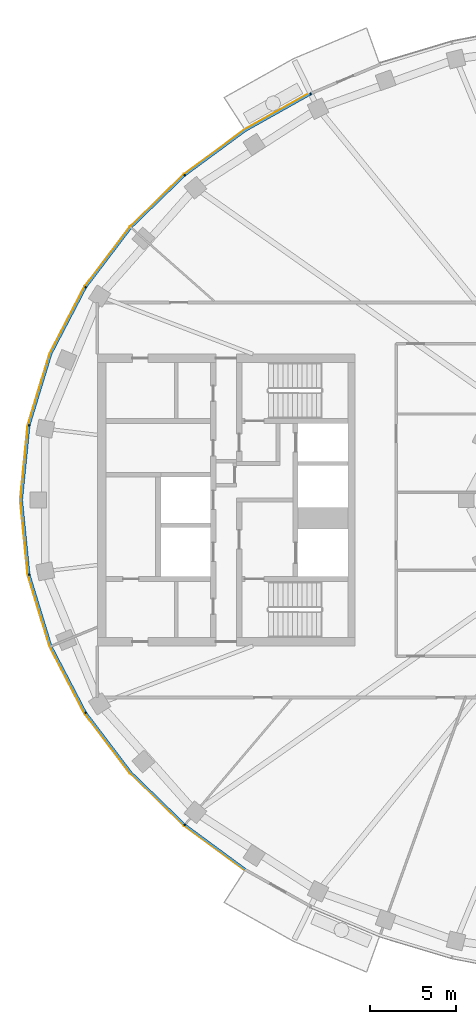
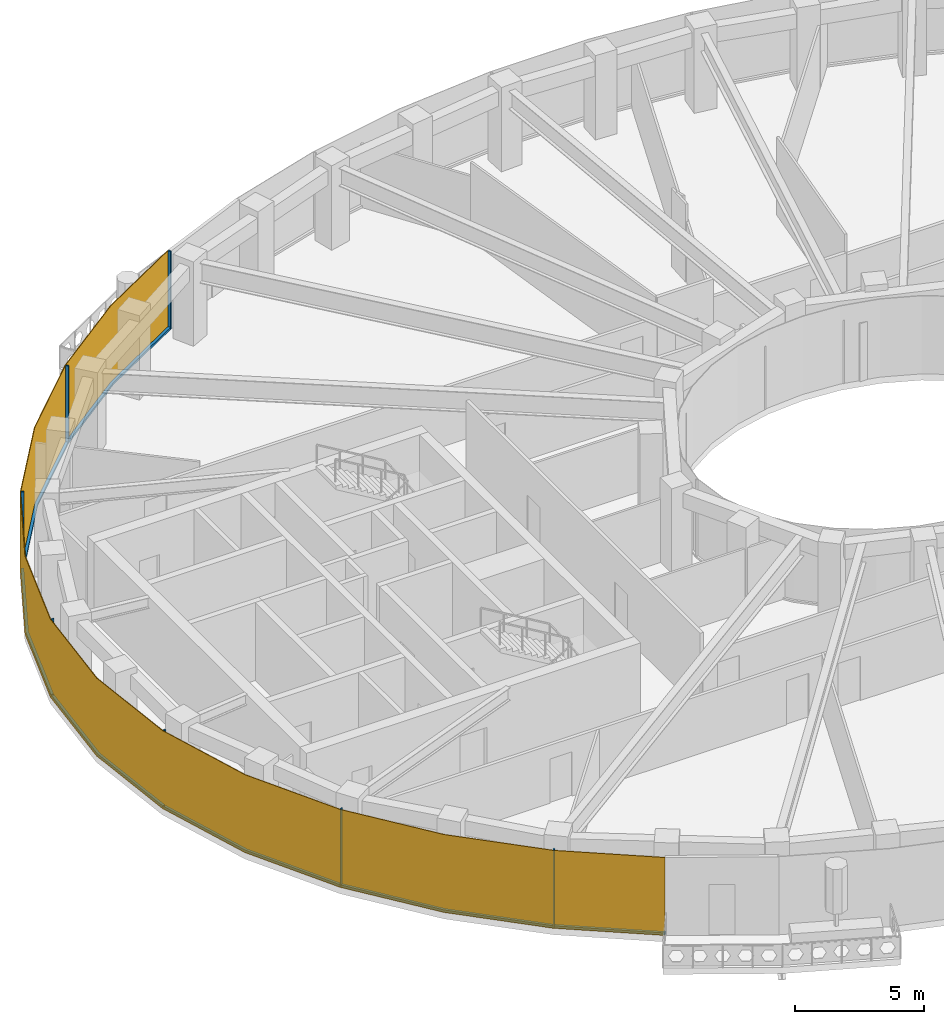
# One storey, part 8 of 15: 14 members, 1 curtain wall.
"""IFC4 building model written with IfcOpenShell, lengths in metres."""

from ifc_helpers import new_model, si_unit, direction, frame, origin, origin_2d, place, context, subcontext, project, spatial, polyline, rectangle, outline, extrude, material, layer, layer_set, material_profile, profile_set, type_object, element, aggregate, save


model = new_model("IFC4")

# Units and contexts
model_context = context("Model", 3, precision=1e-05, world=origin(), true_north=direction((0.0, 1.0)))
body_context = subcontext(model_context, "Body", "Model", "MODEL_VIEW")
ifc_project = project(units=[si_unit("LENGTHUNIT", "METRE"), si_unit("AREAUNIT", "SQUARE_METRE"), si_unit("VOLUMEUNIT", "CUBIC_METRE"), si_unit("PLANEANGLEUNIT", "RADIAN"), si_unit("MASSUNIT", "GRAM", prefix="KILO")], contexts=[model_context])

# Member
ifc_material_1 = material(Name="Aluminium 6063-T6 black anodised", Category="aluminium")
ifc_material_profile = material_profile(ifc_material_1, rectangle(XDim=0.1201171875, YDim=0.06005859375, at=origin_2d()), Name="120x60")
ifc_profile_set = profile_set([ifc_material_profile], Name="Aluminium 6063-T6 black anodised")
member_type_1 = type_object("IfcMemberType", Name="ENV-MULLION-A-120", PredefinedType="MULLION", material=ifc_profile_set)
site_placement = place(None, origin())
building_placement = place(site_placement, origin())
storey_placement = place(building_placement, frame((0.0, 0.0, 295.0)))
member_1_placement = place(storey_placement, frame((-19.06787109375, 23.6474609375, 0.0), z_axis=(0.0, 0.0, 1.0), x_axis=(0.439237769837, -0.898370848563, 0.0)))
member_1 = element("IfcMember", 1, at=member_1_placement, type_object=member_type_1, Name="Mullion A radial 17", PredefinedType="MULLION", context=body_context, shape_type="SweptSolid", body=[
    extrude(rectangle(XDim=0.1201171875, YDim=0.06005859375, at=origin_2d()), origin(), (0.0, 0.0, 1.0), 3.699951171875),
])

member_2_placement = place(storey_placement, frame((-26.403564453125, 18.9130859375, 0.0), z_axis=(0.0, 0.0, 1.0), x_axis=(0.646451313783, -0.762955240435, 0.0)))
member_2 = element("IfcMember", 2, at=member_2_placement, type_object=member_type_1, Name="Mullion A radial 19", PredefinedType="MULLION", context=body_context, shape_type="SweptSolid", body=[
    extrude(rectangle(XDim=0.1201171875, YDim=0.06005859375, at=origin_2d()), origin(), (0.0, 0.0, 1.0), 3.699951171875),
])

member_3_placement = place(storey_placement, frame((-32.177490234375, 12.385498046875, 0.0), z_axis=(0.0, 0.0, 1.0), x_axis=(0.844829880882, -0.53503501976, 0.0)))
member_3 = element("IfcMember", 3, at=member_3_placement, type_object=member_type_1, Name="Mullion A radial 21", PredefinedType="MULLION", context=body_context, shape_type="SweptSolid", body=[
    extrude(rectangle(XDim=0.1201171875, YDim=0.06005859375, at=origin_2d()), origin(), (0.0, 0.0, 1.0), 3.699951171875),
])

member_4_placement = place(storey_placement, frame((-35.470947265625, 4.340576171875, 0.0), z_axis=(0.0, 0.0, 1.0), x_axis=(0.980379083141, -0.19712141776, 0.0)))
member_4 = element("IfcMember", 4, at=member_4_placement, type_object=member_type_1, Name="Mullion A radial 23", PredefinedType="MULLION", context=body_context, shape_type="SweptSolid", body=[
    extrude(rectangle(XDim=0.1201171875, YDim=0.06005859375, at=origin_2d()), origin(), (0.0, 0.0, 1.0), 3.699951171875),
])

member_5_placement = place(storey_placement, frame((-35.470947265625, -4.340576171875, 0.0), z_axis=(0.0, 0.0, 1.0), x_axis=(0.980379083141, 0.19712141776, 0.0)))
member_5 = element("IfcMember", 5, at=member_5_placement, type_object=member_type_1, Name="Mullion A radial 25", PredefinedType="MULLION", context=body_context, shape_type="SweptSolid", body=[
    extrude(rectangle(XDim=0.1201171875, YDim=0.06005859375, at=origin_2d()), origin(), (0.0, 0.0, 1.0), 3.699951171875),
])

member_6_placement = place(storey_placement, frame((-32.177490234375, -12.385498046875, 0.0), z_axis=(0.0, 0.0, 1.0), x_axis=(0.844829880882, 0.53503501976, 0.0)))
member_6 = element("IfcMember", 6, at=member_6_placement, type_object=member_type_1, Name="Mullion A radial 27", PredefinedType="MULLION", context=body_context, shape_type="SweptSolid", body=[
    extrude(rectangle(XDim=0.1201171875, YDim=0.06005859375, at=origin_2d()), origin(), (0.0, 0.0, 1.0), 3.699951171875),
])

member_7_placement = place(storey_placement, frame((-26.403564453125, -18.9130859375, 0.0), z_axis=(0.0, 0.0, 1.0), x_axis=(0.646451313783, 0.762955240435, 0.0)))
member_7 = element("IfcMember", 7, at=member_7_placement, type_object=member_type_1, Name="Mullion A radial 29", PredefinedType="MULLION", context=body_context, shape_type="SweptSolid", body=[
    extrude(rectangle(XDim=0.1201171875, YDim=0.06005859375, at=origin_2d()), origin(), (0.0, 0.0, 1.0), 3.699951171875),
])

ifc_material_2 = material(Name="Aluminium 6063-T6 black anodised", Category="aluminium")
member_type_2 = type_object("IfcMemberType", Name="ENV-TRANSOM-A", PredefinedType="USERDEFINED", material=ifc_material_2)
member_8_placement = place(storey_placement, origin())
member_8 = element("IfcMember", 8, at=member_8_placement, type_object=member_type_2, Name="Transom A radial 17-19", ObjectType="TRANSOM", PredefinedType="USERDEFINED", context=body_context, shape_type="SweptSolid", body=[
    extrude(outline(polyline([(-19.11865234375, 23.687744140625), (-22.9150390625, 21.556884765625), (-26.419921875, 18.975341796875), (-26.342041015625, 18.883544921875), (-22.85009765625, 21.455810546875), (-19.06591796875, 23.57958984375), (-19.11865234375, 23.687744140625)])), origin(), (0.0, 0.0, 1.0), 0.10009765625),
])

member_9_placement = place(storey_placement, origin())
member_9 = element("IfcMember", 9, at=member_9_placement, type_object=member_type_2, Name="Transom A radial 19-21", ObjectType="TRANSOM", PredefinedType="USERDEFINED", context=body_context, shape_type="SweptSolid", body=[
    extrude(outline(polyline([(-26.46240234375, 18.939208984375), (-29.58349609375, 15.906982421875), (-32.211181640625, 12.43994140625), (-32.109375, 12.37548828125), (-29.493408203125, 15.8271484375), (-26.384765625, 18.847412109375), (-26.46240234375, 18.939208984375)])), origin(), (0.0, 0.0, 1.0), 0.10009765625),
])

member_10_placement = place(storey_placement, origin())
member_10 = element("IfcMember", 10, at=member_10_placement, type_object=member_type_2, Name="Transom A radial 21-23", ObjectType="TRANSOM", PredefinedType="USERDEFINED", context=body_context, shape_type="SweptSolid", body=[
    extrude(outline(polyline([(-32.240966796875, 12.392578125), (-34.251220703125, 8.53662109375), (-35.521484375, 4.379150390625), (-35.4033203125, 4.355224609375), (-34.139892578125, 8.490966796875), (-32.139404296875, 12.328369140625), (-32.240966796875, 12.392578125)])), origin(), (0.0, 0.0, 1.0), 0.10009765625),
])

member_11_placement = place(storey_placement, origin())
member_11 = element("IfcMember", 11, at=member_11_placement, type_object=member_type_2, Name="Transom A radial 23-25", ObjectType="TRANSOM", PredefinedType="USERDEFINED", context=body_context, shape_type="SweptSolid", body=[
    extrude(outline(polyline([(-35.532470703125, 4.324462890625), (-35.9677734375, 0.0), (-35.532470703125, -4.324462890625), (-35.414306640625, -4.30078125), (-35.84716796875, 0.0), (-35.414306640625, 4.30078125), (-35.532470703125, 4.324462890625)])), origin(), (0.0, 0.0, 1.0), 0.10009765625),
])

member_12_placement = place(storey_placement, origin())
member_12 = element("IfcMember", 12, at=member_12_placement, type_object=member_type_2, Name="Transom A radial 25-27", ObjectType="TRANSOM", PredefinedType="USERDEFINED", context=body_context, shape_type="SweptSolid", body=[
    extrude(outline(polyline([(-35.521484375, -4.379150390625), (-34.251220703125, -8.53662109375), (-32.240966796875, -12.392578125), (-32.139404296875, -12.328369140625), (-34.139892578125, -8.490966796875), (-35.4033203125, -4.355224609375), (-35.521484375, -4.379150390625)])), origin(), (0.0, 0.0, 1.0), 0.10009765625),
])

member_13_placement = place(storey_placement, origin())
member_13 = element("IfcMember", 13, at=member_13_placement, type_object=member_type_2, Name="Transom A radial 27-29", ObjectType="TRANSOM", PredefinedType="USERDEFINED", context=body_context, shape_type="SweptSolid", body=[
    extrude(outline(polyline([(-32.211181640625, -12.43994140625), (-29.58349609375, -15.906982421875), (-26.46240234375, -18.939208984375), (-26.384765625, -18.847412109375), (-29.493408203125, -15.8271484375), (-32.109375, -12.37548828125), (-32.211181640625, -12.43994140625)])), origin(), (0.0, 0.0, 1.0), 0.10009765625),
])

member_14_placement = place(storey_placement, origin())
member_14 = element("IfcMember", 14, at=member_14_placement, type_object=member_type_2, Name="Transom A radial 29-30", ObjectType="TRANSOM", PredefinedType="USERDEFINED", context=body_context, shape_type="SweptSolid", body=[
    extrude(outline(polyline([(-26.419921875, -18.975341796875), (-22.931396484375, -21.544921875), (-22.8662109375, -21.444091796875), (-26.342041015625, -18.883544921875), (-26.419921875, -18.975341796875)])), origin(), (0.0, 0.0, 1.0), 0.10009765625),
])

# Site, building, storey
site = spatial("IfcSite", under=ifc_project, at=site_placement, CompositionType="ELEMENT")
building = spatial("IfcBuilding", under=site, at=building_placement, Name="Noorbagh Ring Tower", CompositionType="ELEMENT")
storey = spatial("IfcBuildingStorey", under=building, at=storey_placement, Name="L63", CompositionType="ELEMENT", Elevation=295.0)

# Curtain wall
ifc_material_3 = material(Name="Glass dark tinted laminated", Category="glass")
ifc_layer = layer(ifc_material_3, 0.031982421875)
ifc_layer_set = layer_set([ifc_layer], Name="Glass dark tinted laminated")
curtain_wall_type = type_object("IfcCurtainWallType", Name="ENV-CW-A", PredefinedType="NOTDEFINED", material=ifc_layer_set)
curtain_wall_placement = place(storey_placement, origin())
curtain_wall = element("IfcCurtainWall", 15, at=curtain_wall_placement, inside=storey, type_object=curtain_wall_type, Name="Curtain wall A R17", PredefinedType="NOTDEFINED", context=body_context, shape_type="SweptSolid", body=[
    extrude(outline(polyline([(-19.125732421875, 23.720458984375), (-22.9326171875, 21.583740234375), (-26.463134765625, 18.9833984375), (-29.607666015625, 15.927978515625), (-32.255126953125, 12.434814453125), (-34.281005859375, 8.548828125), (-35.561279296875, 4.358642578125), (-36.0, 0.0), (-35.561279296875, -4.358642578125), (-34.281005859375, -8.548828125), (-32.255126953125, -12.434814453125), (-29.607666015625, -15.927978515625), (-26.463134765625, -18.9833984375), (-22.948486328125, -21.572021484375), (-22.931396484375, -21.544921875), (-26.4423828125, -18.958740234375), (-29.58349609375, -15.906982421875), (-32.22802734375, -12.41748046875), (-34.251220703125, -8.53662109375), (-35.529541015625, -4.352294921875), (-35.9677734375, 0.0), (-35.529541015625, 4.352294921875), (-34.251220703125, 8.53662109375), (-32.22802734375, 12.41748046875), (-29.58349609375, 15.906982421875), (-26.4423828125, 18.958740234375), (-22.9150390625, 21.556884765625), (-19.111572265625, 23.691650390625), (-19.125732421875, 23.720458984375)])), origin(), (0.0, 0.0, 1.0), 3.699951171875),
])

aggregate(curtain_wall, [member_1, member_2, member_3, member_4, member_5, member_6, member_7, member_8, member_9, member_10, member_11, member_12, member_13, member_14])

save(model, "model.ifc")
